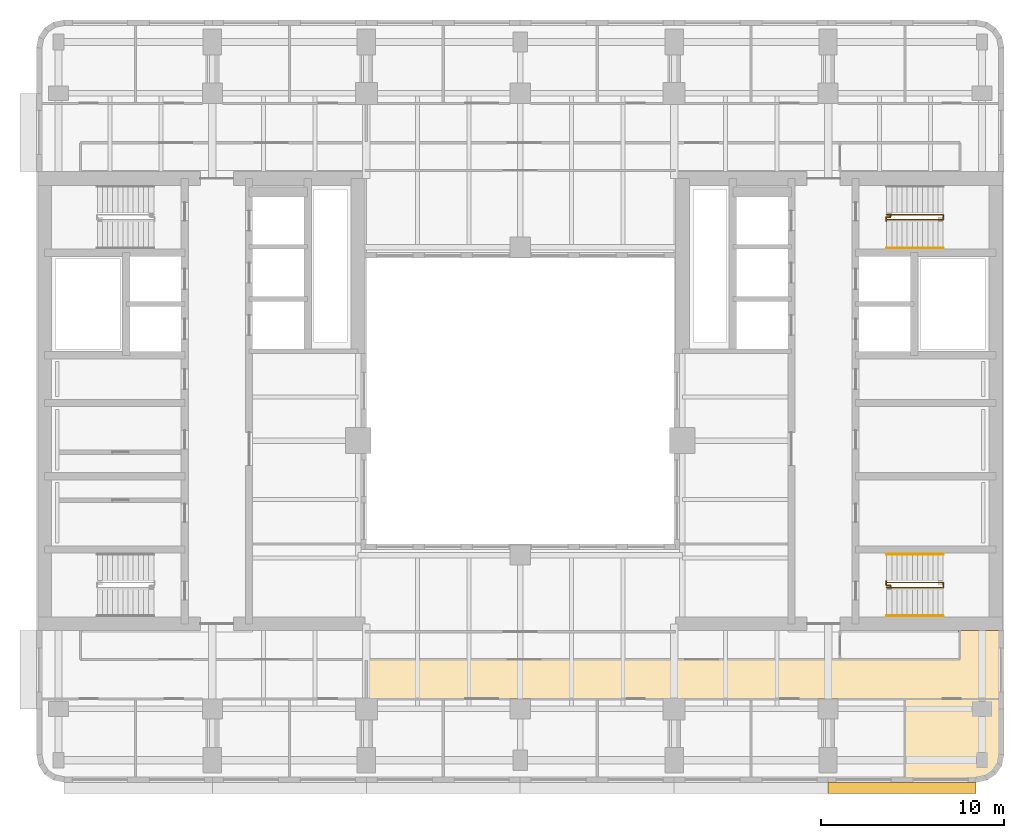
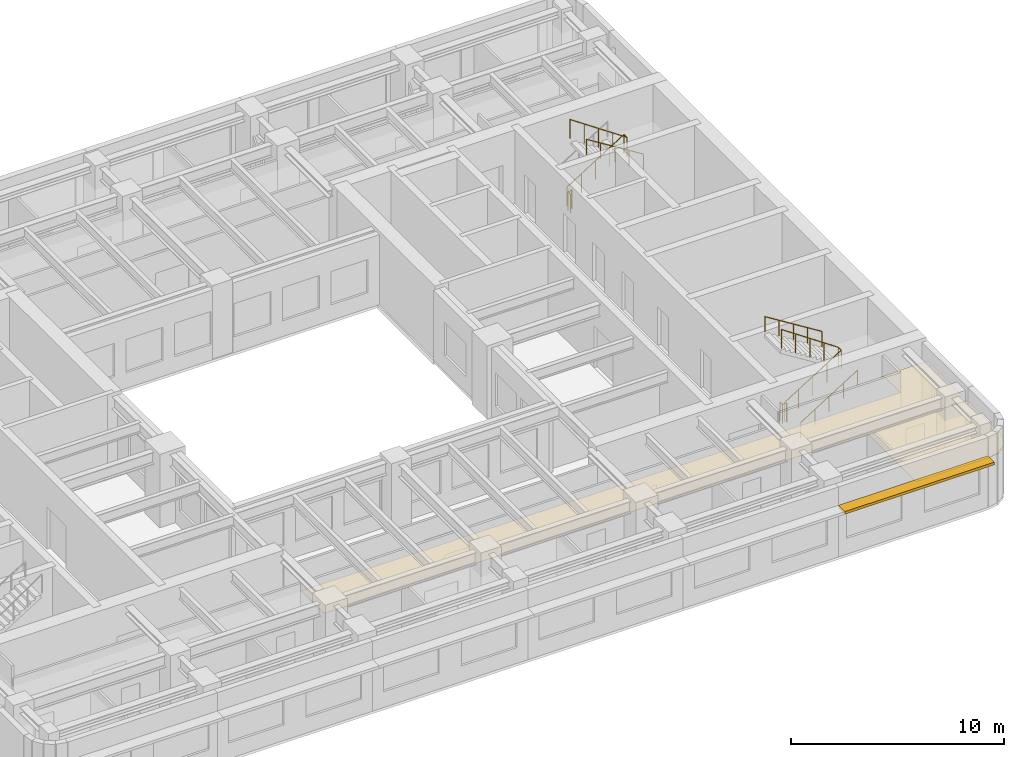
# One storey, part 10 of 11: 7 railings, 2 coverings, 1 shading device.
"""IFC4 building model written with IfcOpenShell, lengths in metres."""

from ifc_helpers import new_model, si_unit, direction, frame, origin, origin_2d, place, context, subcontext, project, spatial, polyline, rectangle, circle, outline, extrude, material, layer, layer_set, type_object, element, save


model = new_model("IFC4")

# Units and contexts
model_context = context("Model", 3, precision=1e-05, world=origin(), true_north=direction((0.0, 1.0)))
body_context = subcontext(model_context, "Body", "Model", "MODEL_VIEW")
ifc_project = project(units=[si_unit("LENGTHUNIT", "METRE"), si_unit("AREAUNIT", "SQUARE_METRE"), si_unit("VOLUMEUNIT", "CUBIC_METRE"), si_unit("PLANEANGLEUNIT", "RADIAN"), si_unit("MASSUNIT", "GRAM", prefix="KILO")], contexts=[model_context])

# Site, building, storey
site_placement = place(None, origin())
site = spatial("IfcSite", under=ifc_project, at=site_placement, CompositionType="ELEMENT")
building_placement = place(site_placement, origin())
building = spatial("IfcBuilding", under=site, at=building_placement, Name="Claustro Exchange Tower", CompositionType="ELEMENT")
storey_placement = place(building_placement, frame((0.0, 0.0, 240.60009765625)))
storey = spatial("IfcBuildingStorey", under=building, at=storey_placement, Name="L55", CompositionType="ELEMENT", Elevation=240.60009765625)

# Coverings
ifc_material_1 = material(Name="Gypsum board ceiling", Category="gypsum board")
ifc_layer_1 = layer(ifc_material_1, 0.02490234375)
ifc_layer_set_1 = layer_set([ifc_layer_1], Name="Gypsum board ceiling")
covering_type = type_object("IfcCoveringType", Name="CL2 plasterboard ceiling", PredefinedType="CEILING", material=ifc_layer_set_1)
covering_1_placement = place(storey_placement, frame((0.0, 0.0, 2.7998046875)))
element("IfcCovering", 1, at=covering_1_placement, inside=storey, type_object=covering_type, Name="Ceiling CL2 L55-07", PredefinedType="CEILING", context=body_context, shape_type="SweptSolid", body=[
    extrude(outline(polyline([(51.60009765625, 5.89990234375), (51.60009765625, 8.949951171875), (46.199951171875, 8.949951171875), (46.199951171875, 4.39990234375), (50.10009765625, 4.39990234375), (50.674072265625, 4.51416015625), (51.16064453125, 4.83935546875), (51.48583984375, 5.325927734375), (51.60009765625, 5.89990234375)])), origin(), (0.0, 0.0, 1.0), 0.025146484375),
])
covering_2_placement = place(storey_placement, frame((0.0, 0.0, 2.7998046875)))
element("IfcCovering", 2, at=covering_2_placement, inside=storey, type_object=covering_type, Name="Ceiling CL2 L55-08", PredefinedType="CEILING", context=body_context, shape_type="SweptSolid", body=[
    extrude(outline(polyline([(51.60009765625, 8.949951171875), (51.60009765625, 12.695068359375), (51.52490234375, 12.695068359375), (51.52490234375, 12.675048828125), (49.10498046875, 12.675048828125), (49.10498046875, 12.60009765625), (49.199951171875, 12.60009765625), (49.199951171875, 11.10009765625), (16.800048828125, 11.10009765625), (16.800048828125, 8.949951171875), (51.60009765625, 8.949951171875)])), origin(), (0.0, 0.0, 1.0), 0.025146484375),
])

# Railings
ifc_material_2 = material(Name="Steel balustrade, painted", Category="steel")
railing_type_1 = type_object("IfcRailingType", Name="GR2 1100 steel stair guard", PredefinedType="GUARDRAIL", material=ifc_material_2)
railing_1_placement = place(storey_placement, frame((45.199951171875, 15.02490234375, 0.1748046875)))
element("IfcRailing", 3, at=railing_1_placement, inside=storey, type_object=railing_type_1, Name="Stair well guard GR2 stair STEA L55", PredefinedType="GUARDRAIL", context=body_context, shape_type="SweptSolid", body=[
    extrude(circle(Radius=0.02392578125, at=origin_2d()), frame((0.0, 0.0, 1.076171875), z_axis=(0.847998304005, 0.0, 0.529998940003), x_axis=(0.0, 1.0, 0.0)), (0.0, 0.0, 1.0), 3.632080078125),
    extrude(circle(Radius=0.02392578125, at=origin_2d()), frame((3.080078125, 0.0, 3.0009765625), z_axis=(0.0, 1.0, 0.0), x_axis=(-1.0, 0.0, 0.0)), (0.0, 0.0, 1.0), 0.275146484375),
    extrude(circle(Radius=0.02392578125, at=origin_2d()), frame((3.080078125, 0.275146484375, 3.0009765625), z_axis=(-0.826221800596, 0.0, 0.563344953133), x_axis=(0.0, -1.0, 0.0)), (0.0, 0.0, 1.0), 3.72802734375),
    extrude(circle(Radius=0.02099609375, at=origin_2d()), origin(), (0.0, 0.0, 1.0), 1.052001953125),
    extrude(circle(Radius=0.02099609375, at=origin_2d()), frame((0.77001953125, 0.0, 0.481201171875)), (0.0, 0.0, 1.0), 1.052001953125),
    extrude(circle(Radius=0.02099609375, at=origin_2d()), frame((1.5400390625, 0.0, 0.96240234375)), (0.0, 0.0, 1.0), 1.052001953125),
    extrude(circle(Radius=0.02099609375, at=origin_2d()), frame((2.31005859375, 0.0, 1.44384765625)), (0.0, 0.0, 1.0), 1.052001953125),
    extrude(circle(Radius=0.02099609375, at=origin_2d()), frame((3.080078125, 0.0, 1.925048828125)), (0.0, 0.0, 1.0), 1.052001953125),
    extrude(circle(Radius=0.02099609375, at=origin_2d()), frame((3.080078125, 0.275146484375, 1.925048828125)), (0.0, 0.0, 1.0), 1.052001953125),
    extrude(circle(Radius=0.02099609375, at=origin_2d()), frame((2.31005859375, 0.275146484375, 2.4501953125)), (0.0, 0.0, 1.0), 1.052001953125),
    extrude(circle(Radius=0.02099609375, at=origin_2d()), frame((1.5400390625, 0.275146484375, 2.97509765625)), (0.0, 0.0, 1.0), 1.052001953125),
    extrude(circle(Radius=0.02099609375, at=origin_2d()), frame((0.77001953125, 0.275146484375, 3.5)), (0.0, 0.0, 1.0), 1.052001953125),
    extrude(circle(Radius=0.02099609375, at=origin_2d()), frame((0.0, 0.275146484375, 4.025146484375)), (0.0, 0.0, 1.0), 1.052001953125),
])
railing_2_placement = place(storey_placement, frame((45.39990234375, 15.094970703125, 0.0)))
element("IfcRailing", 4, at=railing_2_placement, inside=storey, type_object=railing_type_1, Name="Stair guard GR2 STEA L55", PredefinedType="GUARDRAIL", context=body_context, shape_type="SweptSolid", body=[
    extrude(circle(Radius=0.02392578125, at=origin_2d()), frame((0.0, 0.0, 1.076171875), z_axis=(0.0, 1.0, 0.0), x_axis=(-1.0, 0.0, 0.0)), (0.0, 0.0, 1.0), 0.067626953125),
    extrude(circle(Radius=0.02392578125, at=origin_2d()), frame((0.0, 0.067626953125, 1.076171875), z_axis=(-1.0, 0.0, 0.0), x_axis=(0.0, -1.0, 0.0)), (0.0, 0.0, 1.0), 0.224853515625),
    extrude(circle(Radius=0.02392578125, at=origin_2d()), frame((-0.224853515625, 0.067626953125, 1.076171875), z_axis=(0.0, 1.0, 0.0), x_axis=(-1.0, 0.0, 0.0)), (0.0, 0.0, 1.0), 0.21728515625),
    extrude(circle(Radius=0.02099609375, at=origin_2d()), origin(), (0.0, 0.0, 1.0), 1.052001953125),
    extrude(circle(Radius=0.02099609375, at=origin_2d()), frame((0.0, 0.067626953125, 0.0)), (0.0, 0.0, 1.0), 1.052001953125),
    extrude(circle(Radius=0.02099609375, at=origin_2d()), frame((-0.224853515625, 0.067626953125, 0.0)), (0.0, 0.0, 1.0), 1.052001953125),
    extrude(circle(Radius=0.02099609375, at=origin_2d()), frame((-0.224853515625, 0.284912109375, 0.0)), (0.0, 0.0, 1.0), 1.052001953125),
])
railing_3_placement = place(storey_placement, frame((45.199951171875, 35.375, 0.1748046875)))
element("IfcRailing", 5, at=railing_3_placement, inside=storey, type_object=railing_type_1, Name="Stair well guard GR2 stair STEB L55", PredefinedType="GUARDRAIL", context=body_context, shape_type="SweptSolid", body=[
    extrude(circle(Radius=0.02392578125, at=origin_2d()), frame((0.0, 0.0, 1.076171875), z_axis=(0.847998304005, 0.0, 0.529998940003), x_axis=(0.0, 1.0, 0.0)), (0.0, 0.0, 1.0), 3.632080078125),
    extrude(circle(Radius=0.02392578125, at=origin_2d()), frame((3.080078125, 0.0, 3.0009765625), z_axis=(0.0, -1.0, 0.0), x_axis=(1.0, 0.0, 0.0)), (0.0, 0.0, 1.0), 0.27490234375),
    extrude(circle(Radius=0.02392578125, at=origin_2d()), frame((3.080078125, -0.27490234375, 3.0009765625), z_axis=(-0.826221800596, 0.0, 0.563344953133), x_axis=(0.0, -1.0, 0.0)), (0.0, 0.0, 1.0), 3.72802734375),
    extrude(circle(Radius=0.02099609375, at=origin_2d()), origin(), (0.0, 0.0, 1.0), 1.052001953125),
    extrude(circle(Radius=0.02099609375, at=origin_2d()), frame((0.77001953125, 0.0, 0.481201171875)), (0.0, 0.0, 1.0), 1.052001953125),
    extrude(circle(Radius=0.02099609375, at=origin_2d()), frame((1.5400390625, 0.0, 0.96240234375)), (0.0, 0.0, 1.0), 1.052001953125),
    extrude(circle(Radius=0.02099609375, at=origin_2d()), frame((2.31005859375, 0.0, 1.44384765625)), (0.0, 0.0, 1.0), 1.052001953125),
    extrude(circle(Radius=0.02099609375, at=origin_2d()), frame((3.080078125, 0.0, 1.925048828125)), (0.0, 0.0, 1.0), 1.052001953125),
    extrude(circle(Radius=0.02099609375, at=origin_2d()), frame((3.080078125, -0.27490234375, 1.925048828125)), (0.0, 0.0, 1.0), 1.052001953125),
    extrude(circle(Radius=0.02099609375, at=origin_2d()), frame((2.31005859375, -0.27490234375, 2.4501953125)), (0.0, 0.0, 1.0), 1.052001953125),
    extrude(circle(Radius=0.02099609375, at=origin_2d()), frame((1.5400390625, -0.27490234375, 2.97509765625)), (0.0, 0.0, 1.0), 1.052001953125),
    extrude(circle(Radius=0.02099609375, at=origin_2d()), frame((0.77001953125, -0.27490234375, 3.5)), (0.0, 0.0, 1.0), 1.052001953125),
    extrude(circle(Radius=0.02099609375, at=origin_2d()), frame((0.0, -0.27490234375, 4.025146484375)), (0.0, 0.0, 1.0), 1.052001953125),
])
railing_4_placement = place(storey_placement, frame((45.39990234375, 35.304931640625, 0.0)))
element("IfcRailing", 6, at=railing_4_placement, inside=storey, type_object=railing_type_1, Name="Stair guard GR2 STEB L55", PredefinedType="GUARDRAIL", context=body_context, shape_type="SweptSolid", body=[
    extrude(circle(Radius=0.02392578125, at=origin_2d()), frame((0.0, 0.0, 1.076171875), z_axis=(0.0, -1.0, 0.0), x_axis=(1.0, 0.0, 0.0)), (0.0, 0.0, 1.0), 0.0673828125),
    extrude(circle(Radius=0.02392578125, at=origin_2d()), frame((0.0, -0.0673828125, 1.076171875), z_axis=(-1.0, 0.0, 0.0), x_axis=(0.0, -1.0, 0.0)), (0.0, 0.0, 1.0), 0.224853515625),
    extrude(circle(Radius=0.02392578125, at=origin_2d()), frame((-0.224853515625, -0.0673828125, 1.076171875), z_axis=(0.0, -1.0, 0.0), x_axis=(1.0, 0.0, 0.0)), (0.0, 0.0, 1.0), 0.217529296875),
    extrude(circle(Radius=0.02099609375, at=origin_2d()), origin(), (0.0, 0.0, 1.0), 1.052001953125),
    extrude(circle(Radius=0.02099609375, at=origin_2d()), frame((0.0, -0.0673828125, 0.0)), (0.0, 0.0, 1.0), 1.052001953125),
    extrude(circle(Radius=0.02099609375, at=origin_2d()), frame((-0.224853515625, -0.0673828125, 0.0)), (0.0, 0.0, 1.0), 1.052001953125),
    extrude(circle(Radius=0.02099609375, at=origin_2d()), frame((-0.224853515625, -0.284912109375, 0.0)), (0.0, 0.0, 1.0), 1.052001953125),
])
ifc_material_3 = material(Name="Stainless steel tube", Category="steel")
railing_type_2 = type_object("IfcRailingType", Name="HR1 900 stair handrail", PredefinedType="HANDRAIL", material=ifc_material_3)
railing_5_placement = place(storey_placement, frame((45.199951171875, 13.485107421875, 0.1748046875)))
element("IfcRailing", 7, at=railing_5_placement, inside=storey, type_object=railing_type_2, Name="Handrail HR1 stair STEA L55", PredefinedType="HANDRAIL", context=body_context, shape_type="SweptSolid", body=[
    extrude(circle(Radius=0.02392578125, at=origin_2d()), frame((0.0, 0.0, 0.8759765625), z_axis=(0.847998304005, 0.0, 0.529998940003), x_axis=(0.0, 1.0, 0.0)), (0.0, 0.0, 1.0), 3.632080078125),
    extrude(circle(Radius=0.02099609375, at=origin_2d()), origin(), (0.0, 0.0, 1.0), 0.851806640625),
    extrude(circle(Radius=0.02099609375, at=origin_2d()), frame((0.77001953125, 0.0, 0.481201171875)), (0.0, 0.0, 1.0), 0.851806640625),
    extrude(circle(Radius=0.02099609375, at=origin_2d()), frame((1.5400390625, 0.0, 0.96240234375)), (0.0, 0.0, 1.0), 0.851806640625),
    extrude(circle(Radius=0.02099609375, at=origin_2d()), frame((2.31005859375, 0.0, 1.44384765625)), (0.0, 0.0, 1.0), 0.851806640625),
    extrude(circle(Radius=0.02099609375, at=origin_2d()), frame((3.080078125, 0.0, 1.925048828125)), (0.0, 0.0, 1.0), 0.851806640625),
])
for number, where, name in (
    (8, (48.280029296875, 16.840087890625, 2.27490234375), "Handrail HR1 stair STEA L55"),
    (9, (48.280029296875, 33.56005859375, 2.27490234375), "Handrail HR1 stair STEB L55"),
):
    element("IfcRailing", number, at=place(storey_placement, frame(where)), inside=storey, type_object=railing_type_2, Name=name, PredefinedType="HANDRAIL", context=body_context, shape_type="SweptSolid", body=[
        extrude(circle(Radius=0.02392578125, at=origin_2d()), frame((0.0, 0.0, 0.8759765625), z_axis=(-0.847998304005, 0.0, 0.529998940003), x_axis=(0.0, -1.0, 0.0)), (0.0, 0.0, 1.0), 3.632080078125),
        extrude(circle(Radius=0.02099609375, at=origin_2d()), origin(), (0.0, 0.0, 1.0), 0.851806640625),
        extrude(circle(Radius=0.02099609375, at=origin_2d()), frame((-0.77001953125, 0.0, 0.481201171875)), (0.0, 0.0, 1.0), 0.851806640625),
        extrude(circle(Radius=0.02099609375, at=origin_2d()), frame((-1.5400390625, 0.0, 0.96240234375)), (0.0, 0.0, 1.0), 0.851806640625),
        extrude(circle(Radius=0.02099609375, at=origin_2d()), frame((-2.31005859375, 0.0, 1.44384765625)), (0.0, 0.0, 1.0), 0.851806640625),
        extrude(circle(Radius=0.02099609375, at=origin_2d()), frame((-3.080078125, 0.0, 1.925048828125)), (0.0, 0.0, 1.0), 0.851806640625),
    ])

# Shading device
ifc_material_4 = material(Name="Concrete HA-40 (C40/50), precast, white cement, acid-etched", Category="concrete")
ifc_layer_2 = layer(ifc_material_4, 0.14990234375)
ifc_layer_set_2 = layer_set([ifc_layer_2], Name="Concrete HA-40 (C40/50), precast, white cement, acid-etched")
shading_device_type = type_object("IfcShadingDeviceType", Name="SS1 600 precast concrete SUNSHADE", PredefinedType="SHUTTER", material=ifc_layer_set_2)
shading_device_placement = place(storey_placement, frame((46.04248046875, 4.10009765625, 2.800048828125), z_axis=(0.0, 0.0, 1.0), x_axis=(-1.0, 0.0, 0.0)))
element("IfcShadingDevice", 10, at=shading_device_placement, inside=storey, type_object=shading_device_type, Name="Precast SUNSHADE SS1 L55", PredefinedType="SHUTTER", context=body_context, shape_type="SweptSolid", body=[
    extrude(rectangle(XDim=8.085205078125, YDim=0.60009765625, at=origin_2d()), origin(), (0.0, 0.0, 1.0), 0.14990234375),
])

save(model, "model.ifc")
